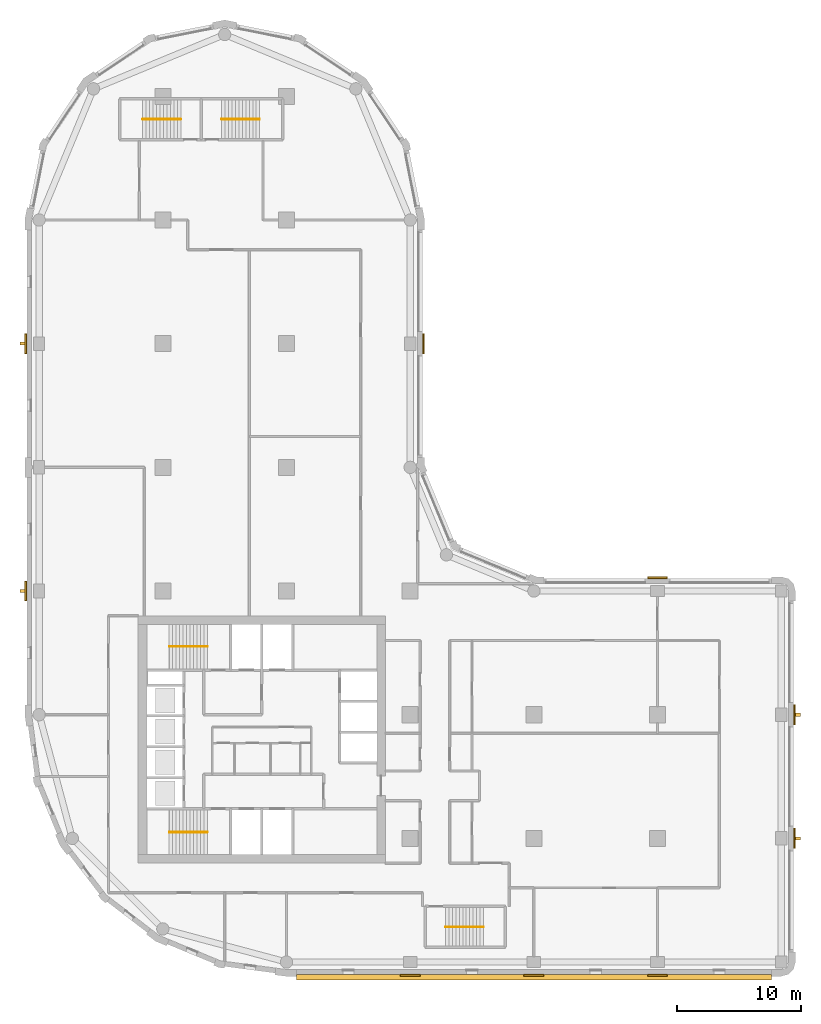
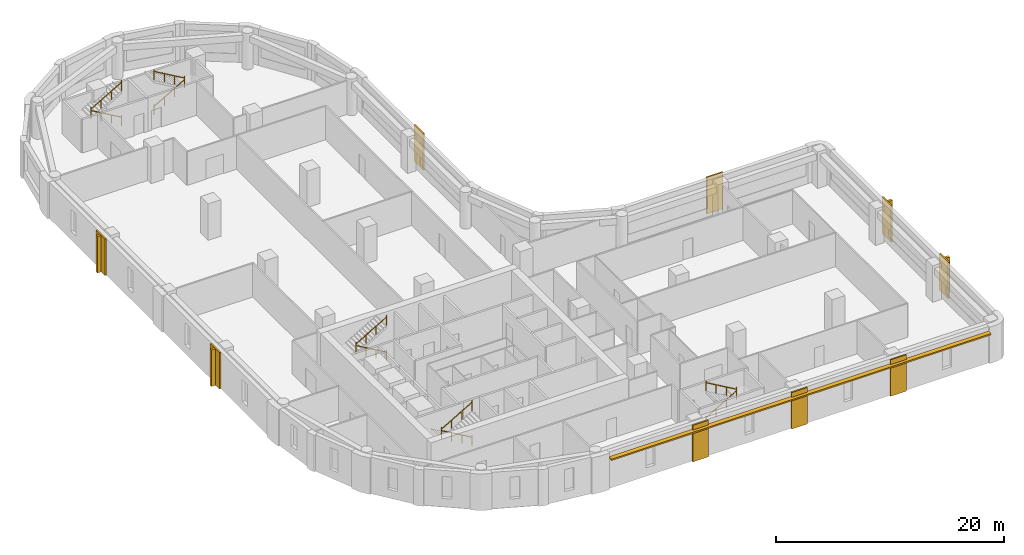
# One storey, part 8 of 9: 10 railings, 9 coverings, 5 shading devices.
"""IFC4 building model written with IfcOpenShell, lengths in metres."""

from ifc_helpers import new_model, si_unit, direction, frame, origin, origin_2d, place, context, subcontext, project, spatial, polyline, rectangle, circle, outline, extrude, material, layer, layer_set, type_object, element, save


model = new_model("IFC4")

# Units and contexts
model_context = context("Model", 3, precision=1e-05, world=origin(), true_north=direction((0.0, 1.0)))
body_context = subcontext(model_context, "Body", "Model", "MODEL_VIEW")
ifc_project = project(units=[si_unit("LENGTHUNIT", "METRE"), si_unit("AREAUNIT", "SQUARE_METRE"), si_unit("VOLUMEUNIT", "CUBIC_METRE"), si_unit("PLANEANGLEUNIT", "RADIAN"), si_unit("MASSUNIT", "GRAM", prefix="KILO")], contexts=[model_context])

# Site, building, storey
site_placement = place(None, origin())
site = spatial("IfcSite", under=ifc_project, at=site_placement, CompositionType="ELEMENT")
building_placement = place(site_placement, origin())
building = spatial("IfcBuilding", under=site, at=building_placement, Name="Qaws Garden Tower", CompositionType="ELEMENT")
storey_placement = place(building_placement, frame((0.0, 0.0, 174.60009765625)))
storey = spatial("IfcBuildingStorey", under=building, at=storey_placement, Name="L42", CompositionType="ELEMENT", Elevation=174.60009765625)

# Coverings
ifc_material_1 = material(Name="Clay facing brick masonry", Category="masonry")
ifc_layer_1 = layer(ifc_material_1, 0.14990234375)
ifc_layer_set_1 = layer_set([ifc_layer_1], Name="Clay facing brick masonry")
covering_type = type_object("IfcCoveringType", Name="Brick pilaster facing 150 x 1600", PredefinedType="CLADDING", material=ifc_layer_set_1)
placement = place(storey_placement, origin())
element("IfcCovering", 1, at=placement, inside=storey, type_object=covering_type, Name="E-L42-pier-01", PredefinedType="CLADDING", context=body_context, shape_type="SweptSolid", body=[
    extrude(outline(polyline([(29.199951171875, -1.0), (30.800048828125, -1.0), (30.800048828125, -1.14990234375), (29.199951171875, -1.14990234375), (29.199951171875, -1.0)])), origin(), (0.0, 0.0, 1.0), 3.89990234375),
])
element("IfcCovering", 2, at=placement, inside=storey, type_object=covering_type, Name="E-L42-pier-02", PredefinedType="CLADDING", context=body_context, shape_type="SweptSolid", body=[
    extrude(outline(polyline([(39.199951171875, -1.0), (40.800048828125, -1.0), (40.800048828125, -1.14990234375), (39.199951171875, -1.14990234375), (39.199951171875, -1.0)])), origin(), (0.0, 0.0, 1.0), 3.89990234375),
])
element("IfcCovering", 3, at=placement, inside=storey, type_object=covering_type, Name="E-L42-pier-03", PredefinedType="CLADDING", context=body_context, shape_type="SweptSolid", body=[
    extrude(outline(polyline([(49.199951171875, -1.0), (50.800048828125, -1.0), (50.800048828125, -1.14990234375), (49.199951171875, -1.14990234375), (49.199951171875, -1.0)])), origin(), (0.0, 0.0, 1.0), 3.89990234375),
])
element("IfcCovering", 4, at=placement, inside=storey, type_object=covering_type, Name="E-L42-pier-05", PredefinedType="CLADDING", context=body_context, shape_type="SweptSolid", body=[
    extrude(outline(polyline([(61.0, 9.199951171875), (61.0, 10.800048828125), (61.14990234375, 10.800048828125), (61.14990234375, 9.199951171875), (61.0, 9.199951171875)])), origin(), (0.0, 0.0, 1.0), 3.89990234375),
])
element("IfcCovering", 5, at=placement, inside=storey, type_object=covering_type, Name="E-L42-pier-06", PredefinedType="CLADDING", context=body_context, shape_type="SweptSolid", body=[
    extrude(outline(polyline([(61.0, 19.199951171875), (61.0, 20.800048828125), (61.14990234375, 20.800048828125), (61.14990234375, 19.199951171875), (61.0, 19.199951171875)])), origin(), (0.0, 0.0, 1.0), 3.89990234375),
])
element("IfcCovering", 6, at=placement, inside=storey, type_object=covering_type, Name="E-L42-pier-08", PredefinedType="CLADDING", context=body_context, shape_type="SweptSolid", body=[
    extrude(outline(polyline([(50.800048828125, 31.0), (49.199951171875, 31.0), (49.199951171875, 31.14990234375), (50.800048828125, 31.14990234375), (50.800048828125, 31.0)])), origin(), (0.0, 0.0, 1.0), 3.89990234375),
])
element("IfcCovering", 7, at=placement, inside=storey, type_object=covering_type, Name="E-L42-pier-12", PredefinedType="CLADDING", context=body_context, shape_type="SweptSolid", body=[
    extrude(outline(polyline([(31.0, 49.199951171875), (31.0, 50.800048828125), (31.14990234375, 50.800048828125), (31.14990234375, 49.199951171875), (31.0, 49.199951171875)])), origin(), (0.0, 0.0, 1.0), 3.89990234375),
])
element("IfcCovering", 8, at=placement, inside=storey, type_object=covering_type, Name="E-L42-pier-22", PredefinedType="CLADDING", context=body_context, shape_type="SweptSolid", body=[
    extrude(outline(polyline([(-1.0, 50.800048828125), (-1.0, 49.199951171875), (-1.14990234375, 49.199951171875), (-1.14990234375, 50.800048828125), (-1.0, 50.800048828125)])), origin(), (0.0, 0.0, 1.0), 3.89990234375),
])
element("IfcCovering", 9, at=placement, inside=storey, type_object=covering_type, Name="E-L42-pier-24", PredefinedType="CLADDING", context=body_context, shape_type="SweptSolid", body=[
    extrude(outline(polyline([(-1.0, 30.800048828125), (-1.0, 29.199951171875), (-1.14990234375, 29.199951171875), (-1.14990234375, 30.800048828125), (-1.0, 30.800048828125)])), origin(), (0.0, 0.0, 1.0), 3.89990234375),
])

# Shading devices
ifc_material_2 = material(Name="Clay facing brick masonry", Category="masonry")
ifc_layer_2 = layer(ifc_material_2, 0.14990234375)
ifc_layer_set_2 = layer_set([ifc_layer_2], Name="Clay facing brick masonry")
shading_device_type_1 = type_object("IfcShadingDeviceType", Name="Brick sunshade band 450 x 150", PredefinedType="JALOUSIE", material=ifc_layer_set_2)
shading_device_placement = place(storey_placement, frame((0.0, 0.0, 3.25)))
element("IfcShadingDevice", 10, at=shading_device_placement, inside=storey, type_object=shading_device_type_1, Name="SUNSHADE 00", PredefinedType="JALOUSIE", context=body_context, shape_type="SweptSolid", body=[
    extrude(outline(polyline([(20.800048828125, -1.0), (20.800048828125, -1.449951171875), (59.199951171875, -1.449951171875), (59.199951171875, -1.0), (50.800048828125, -1.0), (50.800048828125, -1.14990234375), (49.199951171875, -1.14990234375), (49.199951171875, -1.0), (40.800048828125, -1.0), (40.800048828125, -1.14990234375), (39.199951171875, -1.14990234375), (39.199951171875, -1.0), (30.800048828125, -1.0), (30.800048828125, -1.14990234375), (29.199951171875, -1.14990234375), (29.199951171875, -1.0), (20.800048828125, -1.0)])), origin(), (0.0, 0.0, 1.0), 0.14990234375),
])
ifc_material_3 = material(Name="Clay facing brick masonry", Category="masonry")
ifc_layer_3 = layer(ifc_material_3, 0.25)
ifc_layer_set_3 = layer_set([ifc_layer_3], Name="Clay facing brick masonry")
shading_device_type_2 = type_object("IfcShadingDeviceType", Name="Brick-faced fin 250 x 400", PredefinedType="USERDEFINED", material=ifc_layer_set_3)
for number, where, z_axis, x_axis, name in (
    (11, (61.35009765625, 10.0, 0.0), (0.0, 0.0, 1.0), (0.0, 1.0, 0.0), "FIN 05"),
    (12, (61.35009765625, 20.0, 0.0), (0.0, 0.0, 1.0), (0.0, 1.0, 0.0), "FIN 06"),
    (13, (-1.35009765625, 50.0, 0.0), (0.0, 0.0, 1.0), (0.0, -1.0, 0.0), "FIN 22"),
    (14, (-1.35009765625, 30.0, 0.0), (0.0, 0.0, 1.0), (0.0, -1.0, 0.0), "FIN 24"),
):
    element("IfcShadingDevice", number, at=place(storey_placement, frame(where, z_axis=z_axis, x_axis=x_axis)), inside=storey, type_object=shading_device_type_2, Name=name, ObjectType="FIN", PredefinedType="USERDEFINED", context=body_context, shape_type="SweptSolid", body=[
        extrude(rectangle(XDim=0.25, YDim=0.39990234375, at=origin_2d()), origin(), (0.0, 0.0, 1.0), 3.89990234375),
    ])

# Railings
ifc_material_4 = material(Name="Steel S355", Category="steel")
railing_type = type_object("IfcRailingType", Name="Stair handrail 900", PredefinedType="HANDRAIL", material=ifc_material_4)
railing_1_placement = place(storey_placement, frame((13.60009765625, 10.5, 0.162353515625)))
element("IfcRailing", 15, at=railing_1_placement, inside=storey, type_object=railing_type, Name="Stair 1 handrail", PredefinedType="HANDRAIL", context=body_context, shape_type="SweptSolid", body=[
    extrude(circle(Radius=0.02392578125, at=origin_2d()), frame((0.0, 0.0, 0.8759765625), z_axis=(-0.864890721111, 0.0, 0.501960198159), x_axis=(0.0, -1.0, 0.0)), (0.0, 0.0, 1.0), 3.561279296875),
    extrude(circle(Radius=0.02099609375, at=origin_2d()), origin(), (0.0, 0.0, 1.0), 1.06201171875),
    extrude(circle(Radius=0.02099609375, at=origin_2d()), frame((-1.026611328125, 0.0, 0.595947265625)), (0.0, 0.0, 1.0), 0.851806640625),
    extrude(circle(Radius=0.02099609375, at=origin_2d()), frame((-2.053466796875, 0.0, 1.191650390625)), (0.0, 0.0, 1.0), 0.851806640625),
    extrude(circle(Radius=0.02099609375, at=origin_2d()), frame((-3.080078125, 0.0, 1.78759765625)), (0.0, 0.0, 1.0), 1.06201171875),
])
railing_2_placement = place(storey_placement, frame((10.52001953125, 10.5, 2.1123046875)))
element("IfcRailing", 16, at=railing_2_placement, inside=storey, type_object=railing_type, Name="Stair 1 handrail", PredefinedType="HANDRAIL", context=body_context, shape_type="SweptSolid", body=[
    extrude(circle(Radius=0.02392578125, at=origin_2d()), frame((0.0, 0.0, 0.8759765625), z_axis=(0.864890721111, 0.0, 0.501960198159), x_axis=(0.0, 1.0, 0.0)), (0.0, 0.0, 1.0), 3.561279296875),
    extrude(circle(Radius=0.02099609375, at=origin_2d()), origin(), (0.0, 0.0, 1.0), 1.06201171875),
    extrude(circle(Radius=0.02099609375, at=origin_2d()), frame((1.026611328125, 0.0, 0.595947265625)), (0.0, 0.0, 1.0), 0.851806640625),
    extrude(circle(Radius=0.02099609375, at=origin_2d()), frame((2.053466796875, 0.0, 1.191650390625)), (0.0, 0.0, 1.0), 0.851806640625),
    extrude(circle(Radius=0.02099609375, at=origin_2d()), frame((3.080078125, 0.0, 1.78759765625)), (0.0, 0.0, 1.0), 1.06201171875),
])
railing_3_placement = place(storey_placement, frame((13.60009765625, 25.5, 0.162353515625)))
element("IfcRailing", 17, at=railing_3_placement, inside=storey, type_object=railing_type, Name="Stair 4 handrail", PredefinedType="HANDRAIL", context=body_context, shape_type="SweptSolid", body=[
    extrude(circle(Radius=0.02392578125, at=origin_2d()), frame((0.0, 0.0, 0.8759765625), z_axis=(-0.864890721111, 0.0, 0.501960198159), x_axis=(0.0, -1.0, 0.0)), (0.0, 0.0, 1.0), 3.561279296875),
    extrude(circle(Radius=0.02099609375, at=origin_2d()), origin(), (0.0, 0.0, 1.0), 1.06201171875),
    extrude(circle(Radius=0.02099609375, at=origin_2d()), frame((-1.026611328125, 0.0, 0.595947265625)), (0.0, 0.0, 1.0), 0.851806640625),
    extrude(circle(Radius=0.02099609375, at=origin_2d()), frame((-2.053466796875, 0.0, 1.191650390625)), (0.0, 0.0, 1.0), 0.851806640625),
    extrude(circle(Radius=0.02099609375, at=origin_2d()), frame((-3.080078125, 0.0, 1.78759765625)), (0.0, 0.0, 1.0), 1.06201171875),
])
railing_4_placement = place(storey_placement, frame((10.52001953125, 25.5, 2.1123046875)))
element("IfcRailing", 18, at=railing_4_placement, inside=storey, type_object=railing_type, Name="Stair 4 handrail", PredefinedType="HANDRAIL", context=body_context, shape_type="SweptSolid", body=[
    extrude(circle(Radius=0.02392578125, at=origin_2d()), frame((0.0, 0.0, 0.8759765625), z_axis=(0.864890721111, 0.0, 0.501960198159), x_axis=(0.0, 1.0, 0.0)), (0.0, 0.0, 1.0), 3.561279296875),
    extrude(circle(Radius=0.02099609375, at=origin_2d()), origin(), (0.0, 0.0, 1.0), 1.06201171875),
    extrude(circle(Radius=0.02099609375, at=origin_2d()), frame((1.026611328125, 0.0, 0.595947265625)), (0.0, 0.0, 1.0), 0.851806640625),
    extrude(circle(Radius=0.02099609375, at=origin_2d()), frame((2.053466796875, 0.0, 1.191650390625)), (0.0, 0.0, 1.0), 0.851806640625),
    extrude(circle(Radius=0.02099609375, at=origin_2d()), frame((3.080078125, 0.0, 1.78759765625)), (0.0, 0.0, 1.0), 1.06201171875),
])
railing_5_placement = place(storey_placement, frame((32.85009765625, 2.85009765625, 0.162353515625)))
element("IfcRailing", 19, at=railing_5_placement, inside=storey, type_object=railing_type, Name="Stair 5 handrail", PredefinedType="HANDRAIL", context=body_context, shape_type="SweptSolid", body=[
    extrude(circle(Radius=0.02392578125, at=origin_2d()), frame((0.0, 0.0, 0.8759765625), z_axis=(0.864873446163, 0.0, 0.501989962173), x_axis=(0.0, 1.0, 0.0)), (0.0, 0.0, 1.0), 3.56103515625),
    extrude(circle(Radius=0.02099609375, at=origin_2d()), origin(), (0.0, 0.0, 1.0), 1.06201171875),
    extrude(circle(Radius=0.02099609375, at=origin_2d()), frame((1.026611328125, 0.0, 0.595947265625)), (0.0, 0.0, 1.0), 0.851806640625),
    extrude(circle(Radius=0.02099609375, at=origin_2d()), frame((2.05322265625, 0.0, 1.191650390625)), (0.0, 0.0, 1.0), 0.851806640625),
    extrude(circle(Radius=0.02099609375, at=origin_2d()), frame((3.079833984375, 0.0, 1.78759765625)), (0.0, 0.0, 1.0), 1.06201171875),
])
for number, where, name in (
    (20, (35.929931640625, 2.85009765625, 2.1123046875), "Stair 5 handrail"),
    (21, (11.449951171875, 68.14990234375, 0.162353515625), "Stair 6 handrail"),
):
    element("IfcRailing", number, at=place(storey_placement, frame(where)), inside=storey, type_object=railing_type, Name=name, PredefinedType="HANDRAIL", context=body_context, shape_type="SweptSolid", body=[
        extrude(circle(Radius=0.02392578125, at=origin_2d()), frame((0.0, 0.0, 0.8759765625), z_axis=(-0.864873446163, 0.0, 0.501989962173), x_axis=(0.0, -1.0, 0.0)), (0.0, 0.0, 1.0), 3.56103515625),
        extrude(circle(Radius=0.02099609375, at=origin_2d()), origin(), (0.0, 0.0, 1.0), 1.06201171875),
        extrude(circle(Radius=0.02099609375, at=origin_2d()), frame((-1.026611328125, 0.0, 0.595947265625)), (0.0, 0.0, 1.0), 0.851806640625),
        extrude(circle(Radius=0.02099609375, at=origin_2d()), frame((-2.05322265625, 0.0, 1.191650390625)), (0.0, 0.0, 1.0), 0.851806640625),
        extrude(circle(Radius=0.02099609375, at=origin_2d()), frame((-3.079833984375, 0.0, 1.78759765625)), (0.0, 0.0, 1.0), 1.06201171875),
    ])
railing_6_placement = place(storey_placement, frame((8.3701171875, 68.14990234375, 2.1123046875)))
element("IfcRailing", 22, at=railing_6_placement, inside=storey, type_object=railing_type, Name="Stair 6 handrail", PredefinedType="HANDRAIL", context=body_context, shape_type="SweptSolid", body=[
    extrude(circle(Radius=0.02392578125, at=origin_2d()), frame((0.0, 0.0, 0.8759765625), z_axis=(0.864873446163, 0.0, 0.501989962173), x_axis=(0.0, 1.0, 0.0)), (0.0, 0.0, 1.0), 3.56103515625),
    extrude(circle(Radius=0.02099609375, at=origin_2d()), origin(), (0.0, 0.0, 1.0), 1.06201171875),
    extrude(circle(Radius=0.02099609375, at=origin_2d()), frame((1.026611328125, 0.0, 0.595947265625)), (0.0, 0.0, 1.0), 0.851806640625),
    extrude(circle(Radius=0.02099609375, at=origin_2d()), frame((2.05322265625, 0.0, 1.191650390625)), (0.0, 0.0, 1.0), 0.851806640625),
    extrude(circle(Radius=0.02099609375, at=origin_2d()), frame((3.079833984375, 0.0, 1.78759765625)), (0.0, 0.0, 1.0), 1.06201171875),
])
railing_7_placement = place(storey_placement, frame((14.75, 68.14990234375, 0.162353515625)))
element("IfcRailing", 23, at=railing_7_placement, inside=storey, type_object=railing_type, Name="Stair 7 handrail", PredefinedType="HANDRAIL", context=body_context, shape_type="SweptSolid", body=[
    extrude(circle(Radius=0.02392578125, at=origin_2d()), frame((0.0, 0.0, 0.8759765625), z_axis=(0.864890721111, 0.0, 0.501960198159), x_axis=(0.0, 1.0, 0.0)), (0.0, 0.0, 1.0), 3.561279296875),
    extrude(circle(Radius=0.02099609375, at=origin_2d()), origin(), (0.0, 0.0, 1.0), 1.06201171875),
    extrude(circle(Radius=0.02099609375, at=origin_2d()), frame((1.026611328125, 0.0, 0.595947265625)), (0.0, 0.0, 1.0), 0.851806640625),
    extrude(circle(Radius=0.02099609375, at=origin_2d()), frame((2.053466796875, 0.0, 1.191650390625)), (0.0, 0.0, 1.0), 0.851806640625),
    extrude(circle(Radius=0.02099609375, at=origin_2d()), frame((3.080078125, 0.0, 1.78759765625)), (0.0, 0.0, 1.0), 1.06201171875),
])
railing_8_placement = place(storey_placement, frame((17.830078125, 68.14990234375, 2.1123046875)))
element("IfcRailing", 24, at=railing_8_placement, inside=storey, type_object=railing_type, Name="Stair 7 handrail", PredefinedType="HANDRAIL", context=body_context, shape_type="SweptSolid", body=[
    extrude(circle(Radius=0.02392578125, at=origin_2d()), frame((0.0, 0.0, 0.8759765625), z_axis=(-0.864890721111, 0.0, 0.501960198159), x_axis=(0.0, -1.0, 0.0)), (0.0, 0.0, 1.0), 3.561279296875),
    extrude(circle(Radius=0.02099609375, at=origin_2d()), origin(), (0.0, 0.0, 1.0), 1.06201171875),
    extrude(circle(Radius=0.02099609375, at=origin_2d()), frame((-1.026611328125, 0.0, 0.595947265625)), (0.0, 0.0, 1.0), 0.851806640625),
    extrude(circle(Radius=0.02099609375, at=origin_2d()), frame((-2.053466796875, 0.0, 1.191650390625)), (0.0, 0.0, 1.0), 0.851806640625),
    extrude(circle(Radius=0.02099609375, at=origin_2d()), frame((-3.080078125, 0.0, 1.78759765625)), (0.0, 0.0, 1.0), 1.06201171875),
])

save(model, "model.ifc")
